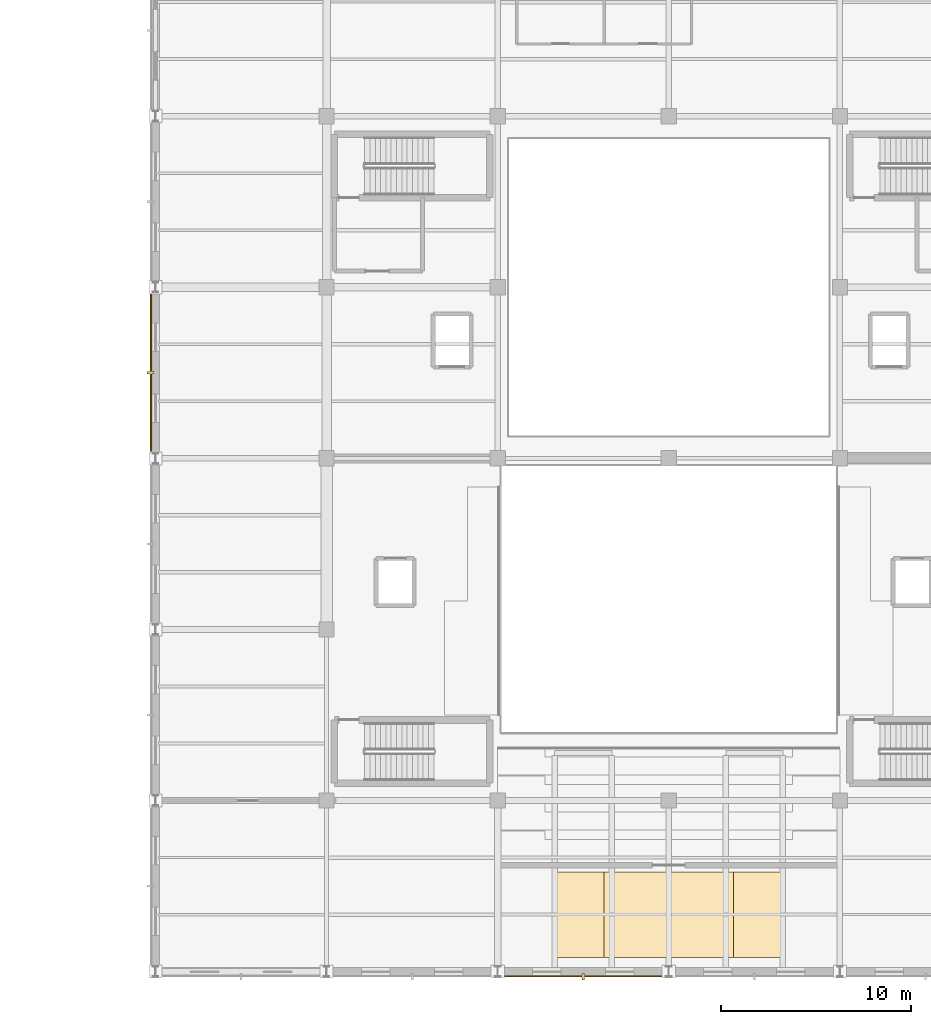
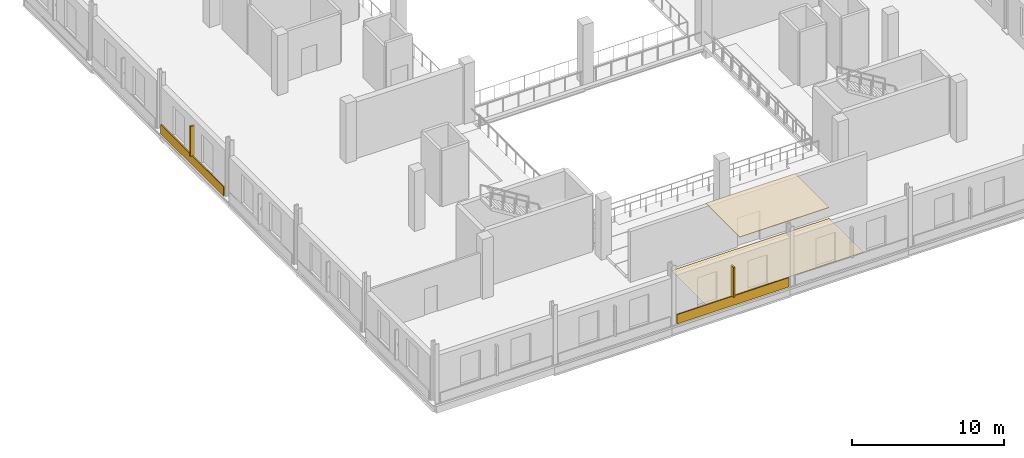
# One storey, part 29 of 35: 4 coverings, 2 shading devices.
"""IFC4 building model written with IfcOpenShell, lengths in metres."""

import ifcopenshell
import ifcopenshell.guid

model = None  # the IFC model being written
_history = None  # IfcOwnerHistory: only IFC2X3 demands one
_inside = {}  # id of a spatial element -> (the spatial element, [elements in it])
_under = {}  # id of a project, library or spatial element -> (it, [spatial elements below it])
_declared = {}  # id of a project -> (the project, [libraries it declares])
_typed = {}  # id of a type object -> (the type object, [elements of that type])
_made_of = {}  # id of a material, layer set ... -> (it, [elements and type objects made of it])


def new_model(schema):
    """Start an empty IFC model of exactly this schema.

    Asked for "IFC4X3", IfcOpenShell would pick the latest addendum, in which some entities
    have other attributes; the version numbers below select the first issue.
    IFC2X3 requires an IfcOwnerHistory on every rooted entity: one is made here for all.
    """
    global model, _history
    if schema == "IFC4X3":
        model = ifcopenshell.file(schema_version=(4, 3, 0, 0))
    else:
        model = ifcopenshell.file(schema=schema)
    _inside.clear()
    _under.clear()
    _declared.clear()
    _typed.clear()
    _made_of.clear()
    _history = None
    if model.schema == "IFC2X3":
        org = make("IfcOrganization", Name="unknown")
        user = make(
            "IfcPersonAndOrganization",
            ThePerson=make("IfcPerson", FamilyName="unknown"),
            TheOrganization=org,
        )
        app = make(
            "IfcApplication",
            ApplicationDeveloper=org,
            Version="unknown",
            ApplicationFullName="unknown",
            ApplicationIdentifier="unknown",
        )
        _history = make(
            "IfcOwnerHistory",
            OwningUser=user,
            OwningApplication=app,
            ChangeAction="ADDED",
            CreationDate=0,
        )
    return model


def make(cls, **values):
    """One entity of the class cls with the attributes given. An attribute that is None is left unset."""
    return model.create_entity(
        cls, **{name: value for name, value in values.items() if value is not None}
    )


def rooted(cls, **values):
    """An entity with a GlobalId (a new one), such as an element, a storey or a relation."""
    return make(cls, GlobalId=ifcopenshell.guid.new(), OwnerHistory=_history, **values)


def si_unit(unit_type, name, prefix=None):
    """IfcSIUnit, for example si_unit("LENGTHUNIT", "METRE", prefix="MILLI")."""
    return make("IfcSIUnit", UnitType=unit_type, Prefix=prefix, Name=name)


def assignment(units):
    """IfcUnitAssignment: the units of a project."""
    return None if units is None else make("IfcUnitAssignment", Units=units)


def point(xyz):
    """IfcCartesianPoint."""
    return None if xyz is None else make("IfcCartesianPoint", Coordinates=xyz)


def direction(xyz):
    """IfcDirection."""
    return None if xyz is None else make("IfcDirection", DirectionRatios=xyz)


def frame(location, z_axis=None, x_axis=None):
    """IfcAxis2Placement3D, a coordinate frame: its origin and axes. An axis left out is left unset."""
    return make(
        "IfcAxis2Placement3D",
        Location=point(location),
        Axis=direction(z_axis),
        RefDirection=direction(x_axis),
    )


def frame_2d(location, x_axis=None):
    """IfcAxis2Placement2D, a coordinate frame in the plane: its origin and x axis."""
    return make(
        "IfcAxis2Placement2D", Location=point(location), RefDirection=direction(x_axis)
    )


def origin():
    """The frame at (0, 0, 0) with its axes left unset."""
    return frame((0.0, 0.0, 0.0))


def origin_2d():
    """The frame at (0, 0) in the plane with its x axis left unset."""
    return frame_2d((0.0, 0.0))


def place(relative_to, where):
    """IfcLocalPlacement: puts the frame where relative to a parent placement (None: the world)."""
    return make(
        "IfcLocalPlacement", PlacementRelTo=relative_to, RelativePlacement=where
    )


def context(
    kind, dimensions, precision=None, world=None, true_north=None, identifier=None
):
    """IfcGeometricRepresentationContext, for example the 3D "Model" context."""
    return make(
        "IfcGeometricRepresentationContext",
        ContextIdentifier=identifier,
        ContextType=kind,
        CoordinateSpaceDimension=dimensions,
        Precision=precision,
        WorldCoordinateSystem=world,
        TrueNorth=true_north,
    )


def subcontext(parent, identifier, kind, view, scale=None):
    """IfcGeometricRepresentationSubContext, for example "Body" below "Model"."""
    return make(
        "IfcGeometricRepresentationSubContext",
        ContextIdentifier=identifier,
        ContextType=kind,
        ParentContext=parent,
        TargetScale=scale,
        TargetView=view,
    )


def project(units=None, contexts=None):
    """IfcProject with its units and contexts."""
    return rooted(
        "IfcProject",
        Name="project",
        RepresentationContexts=contexts,
        UnitsInContext=assignment(units),
    )


def spatial(cls, under=None, at=None, **own):
    """A site, building, storey or space (cls), placed at a placement, below another one or the project."""
    s = rooted(cls, ObjectPlacement=at, **own)
    if under is not None:
        _under.setdefault(under.id(), (under, []))[1].append(s)
    return s


def profile(cls, at=None, kind="AREA", **sizes):
    """A parametric profile (cls). Its sizes go by their IFC names, for example OverallWidth=200.0."""
    return make(cls, ProfileType=kind, Position=at, **sizes)


def rectangle(**sizes):
    """IfcRectangleProfileDef."""
    return profile("IfcRectangleProfileDef", **sizes)


def extrude(swept, where, along, depth):
    """IfcExtrudedAreaSolid: the profile swept, set in the frame where, extruded along a direction by depth."""
    return make(
        "IfcExtrudedAreaSolid",
        SweptArea=swept,
        Position=where,
        ExtrudedDirection=direction(along),
        Depth=depth,
    )


def shape(context_of_items, identifier, shape_type, items):
    """IfcShapeRepresentation: the items that make up one representation, for example the "Body"."""
    return make(
        "IfcShapeRepresentation",
        ContextOfItems=context_of_items,
        RepresentationIdentifier=identifier,
        RepresentationType=shape_type,
        Items=items,
    )


def material(Name=None, Category=None):
    """IfcMaterial."""
    return make("IfcMaterial", Name=Name, Category=Category)


def layer(
    of_material, thickness, ventilated=None, Name=None, Category=None, Priority=None
):
    """IfcMaterialLayer: one layer of a wall or slab, of a material (None: an air gap)."""
    return make(
        "IfcMaterialLayer",
        Material=of_material,
        LayerThickness=thickness,
        IsVentilated=ventilated,
        Name=Name,
        Category=Category,
        Priority=Priority,
    )


def layer_set(layers, Name=None):
    """IfcMaterialLayerSet."""
    return make("IfcMaterialLayerSet", MaterialLayers=layers, LayerSetName=Name)


def made_of(thing, what):
    """Note that an element or type object is made of a material, layer set ...; save() writes the relation."""
    if what is not None:
        _made_of.setdefault(what.id(), (what, []))[1].append(thing)
    return thing


def type_object(cls, material=None, **own):
    """A type object (cls), such as IfcWallType, which elements share."""
    return made_of(rooted(cls, **own), material)


def element(
    cls,
    number,
    at=None,
    inside=None,
    cuts=None,
    type_object=None,
    material=None,
    context=None,
    identifier="Body",
    shape_type=None,
    held_by="IfcProductDefinitionShape",
    body=None,
    shapes=None,
    **own,
):
    """One element of the class cls, such as IfcWall. Its Tag is "e" and its number.

    at: its placement. inside: the storey or other place that contains it. cuts: it is an
    opening in that element (IfcRelVoidsElement). A single representation is given by context,
    identifier, shape_type and body (its items); several are given by shapes. held_by: the class
    of the entity that holds the representations. save() writes the other relations.
    """
    e = rooted(cls, Tag="e%d" % number, ObjectPlacement=at, **own)
    if body is not None:
        shapes = [shape(context, identifier, shape_type, body)]
    if shapes is not None:
        e.Representation = make(held_by, Representations=shapes)
    if inside is not None:
        _inside.setdefault(inside.id(), (inside, []))[1].append(e)
    if cuts is not None:
        rooted(
            "IfcRelVoidsElement", RelatingBuildingElement=cuts, RelatedOpeningElement=e
        )
    if type_object is not None:
        _typed.setdefault(type_object.id(), (type_object, []))[1].append(e)
    return made_of(e, material)


def aggregate(whole, parts):
    """IfcRelAggregates: a whole, such as a stair, and the parts it consists of."""
    return rooted("IfcRelAggregates", RelatingObject=whole, RelatedObjects=parts)


def save(model, path):
    """Write the relations noted so far, then the file.

    IfcRelAggregates (storeys below a building ...), IfcRelContainedInSpatialStructure (elements
    in a storey), IfcRelDefinesByType, IfcRelAssociatesMaterial and IfcRelDeclares: one each for
    every whole, place, type object, material and project.
    """
    for whole, parts in _under.values():
        aggregate(whole, parts)
    for where, things in _inside.values():
        rooted(
            "IfcRelContainedInSpatialStructure",
            RelatedElements=things,
            RelatingStructure=where,
        )
    for kind, things in _typed.values():
        rooted("IfcRelDefinesByType", RelatedObjects=things, RelatingType=kind)
    for what, things in _made_of.values():
        rooted("IfcRelAssociatesMaterial", RelatedObjects=things, RelatingMaterial=what)
    for by, libraries in _declared.values():
        rooted("IfcRelDeclares", RelatingContext=by, RelatedDefinitions=libraries)
    model.write(path)


model = new_model("IFC4")

# Units and contexts
model_context = context("Model", 3, precision=1e-05, world=origin(), true_north=direction((0.0, 1.0)))
body_context = subcontext(model_context, "Body", "Model", "MODEL_VIEW")
ifc_project = project(units=[si_unit("LENGTHUNIT", "METRE"), si_unit("AREAUNIT", "SQUARE_METRE"), si_unit("VOLUMEUNIT", "CUBIC_METRE"), si_unit("PLANEANGLEUNIT", "RADIAN"), si_unit("MASSUNIT", "GRAM", prefix="KILO")], contexts=[model_context])

# Site, building, storey
site_placement = place(None, origin())
site = spatial("IfcSite", under=ifc_project, at=site_placement, CompositionType="ELEMENT")
building_placement = place(site_placement, origin())
building = spatial("IfcBuilding", under=site, at=building_placement, Name="Sundgate Opera House", CompositionType="ELEMENT")
storey_placement = place(building_placement, frame((0.0, 0.0, 21.60009765625)))
storey = spatial("IfcBuildingStorey", under=building, at=storey_placement, Name="L04", CompositionType="ELEMENT", Elevation=21.60009765625)

# Coverings
ifc_material_1 = material(Name="Perforated European oak acoustic ceiling", Category="wood")
ifc_layer_1 = layer(ifc_material_1, 0.044921875)
ifc_layer_set_1 = layer_set([ifc_layer_1], Name="Perforated European oak acoustic ceiling")
covering_type_1 = type_object("IfcCoveringType", Name="CV-CEIL-OAK", PredefinedType="CEILING", material=ifc_layer_set_1)
covering_1_placement = place(storey_placement, frame((54.0, 36.0, 4.494873046875), z_axis=(0.0, 0.0, 1.0), x_axis=(1.0, 0.0, 0.0)))
element("IfcCovering", 1, at=covering_1_placement, inside=storey, type_object=covering_type_1, Name="L04 Acoustic Ceiling CV0134", PredefinedType="CEILING", context=body_context, shape_type="SweptSolid", body=[
    extrude(rectangle(XDim=6.800048828125, YDim=4.5, at=origin_2d()), origin(), (0.0, 0.0, 1.0), 0.044921875),
])
ifc_material_2 = material(Name="Honed Komstad limestone floor finish", Category="masonry")
ifc_layer_2 = layer(ifc_material_2, 0.02001953125)
ifc_layer_set_2 = layer_set([ifc_layer_2], Name="Honed Komstad limestone floor finish")
covering_type_2 = type_object("IfcCoveringType", Name="CV-FLR-STONE", PredefinedType="FLOORING", material=ifc_layer_set_2)
covering_2_placement = place(storey_placement, frame((54.0, 36.0, 0.0), z_axis=(0.0, 0.0, 1.0), x_axis=(1.0, 0.0, 0.0)))
element("IfcCovering", 2, at=covering_2_placement, inside=storey, type_object=covering_type_2, Name="L04 Floor Finish CV0146", PredefinedType="FLOORING", context=body_context, shape_type="SweptSolid", body=[
    extrude(rectangle(XDim=12.0, YDim=4.5, at=origin_2d()), origin(), (0.0, 0.0, 1.0), 0.02001953125),
])
ifc_material_3 = material(Name="Frost-proof vitrified stoneware trencadis relief tile", Category="masonry")
ifc_layer_3 = layer(ifc_material_3, 0.074951171875)
ifc_layer_set_3 = layer_set([ifc_layer_3], Name="Frost-proof vitrified stoneware trencadis relief tile")
covering_type_3 = type_object("IfcCoveringType", Name="CV-TRENC-RELIEF", PredefinedType="CLADDING", material=ifc_layer_set_3)
covering_3_placement = place(storey_placement, frame((26.757568359375, 64.5, 0.044921875), z_axis=(0.0, 0.0, 1.0), x_axis=(0.0, 1.0, 0.0)))
element("IfcCovering", 3, at=covering_3_placement, inside=storey, type_object=covering_type_3, Name="L04 Trencadis 750mm Relief Band CV0067", PredefinedType="CLADDING", context=body_context, shape_type="SweptSolid", body=[
    extrude(rectangle(XDim=8.260009765625, YDim=0.074951171875, at=origin_2d()), origin(), (0.0, 0.0, 1.0), 0.75),
])
ifc_material_4 = material(Name="Polychrome trencadis mosaic panel", Category="masonry")
ifc_layer_4 = layer(ifc_material_4, 0.054931640625)
ifc_layer_set_4 = layer_set([ifc_layer_4], Name="Polychrome trencadis mosaic panel")
covering_type_4 = type_object("IfcCoveringType", Name="CV-TRENC-SLIM", PredefinedType="CLADDING", material=ifc_layer_set_4)
covering_4_placement = place(storey_placement, frame((49.5, 32.757568359375, 0.044921875), z_axis=(0.0, 0.0, 1.0), x_axis=(1.0, 0.0, 0.0)))
element("IfcCovering", 4, at=covering_4_placement, inside=storey, type_object=covering_type_4, Name="L04 Trencadis 750mm Relief Band CV0053", PredefinedType="CLADDING", context=body_context, shape_type="SweptSolid", body=[
    extrude(rectangle(XDim=8.510009765625, YDim=0.074951171875, at=origin_2d()), origin(), (0.0, 0.0, 1.0), 0.75),
])

# Shading devices
ifc_material_5 = material(Name="Frost-proof vitrified stoneware ceramic fin", Category="masonry")
shading_device_type_1 = type_object("IfcShadingDeviceType", Name="SD-CERAMIC-FIN", PredefinedType="JALOUSIE", material=ifc_material_5)
shading_device_1_placement = place(storey_placement, frame((49.5, 32.735107421875, 0.800048828125), z_axis=(0.0, 0.0, 1.0), x_axis=(1.0, 0.0, 0.0)))
element("IfcShadingDevice", 5, at=shading_device_1_placement, inside=storey, type_object=shading_device_type_1, Name="L04 Ceramic Brise-Soleil Fin SD0019", PredefinedType="JALOUSIE", context=body_context, shape_type="SweptSolid", body=[
    extrude(rectangle(XDim=0.1201171875, YDim=0.35009765625, at=origin_2d()), origin(), (0.0, 0.0, 1.0), 2.39990234375),
])
ifc_material_6 = material(Name="Glazed ceramic acoustic sun louvre", Category="masonry")
shading_device_type_2 = type_object("IfcShadingDeviceType", Name="SD-CERAMIC-LOUVRE", PredefinedType="JALOUSIE", material=ifc_material_6)
shading_device_2_placement = place(storey_placement, frame((26.735107421875, 64.5, 0.800048828125), z_axis=(0.0, 0.0, 1.0), x_axis=(1.0, 0.0, 0.0)))
element("IfcShadingDevice", 6, at=shading_device_2_placement, inside=storey, type_object=shading_device_type_2, Name="L04 Ceramic Brise-Soleil Fin SD0026", PredefinedType="JALOUSIE", context=body_context, shape_type="SweptSolid", body=[
    extrude(rectangle(XDim=0.35009765625, YDim=0.1201171875, at=origin_2d()), origin(), (0.0, 0.0, 1.0), 2.39990234375),
])

save(model, "model.ifc")
